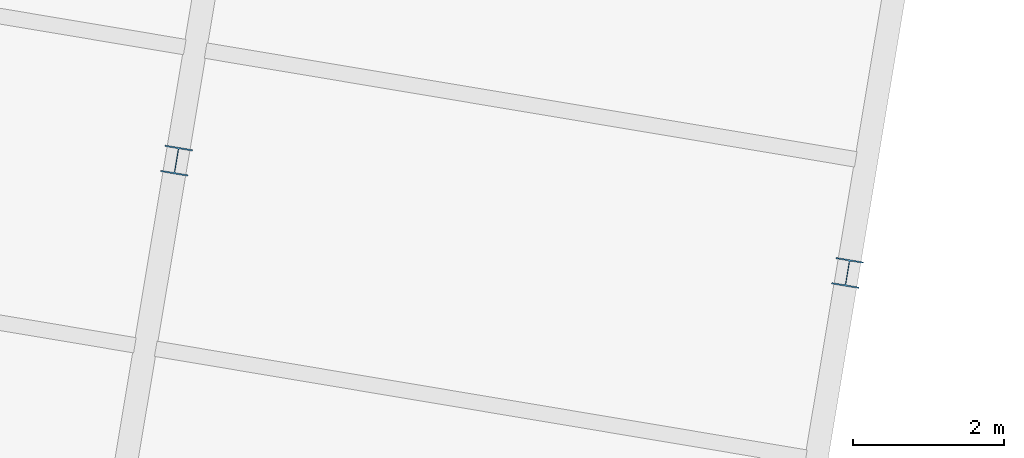
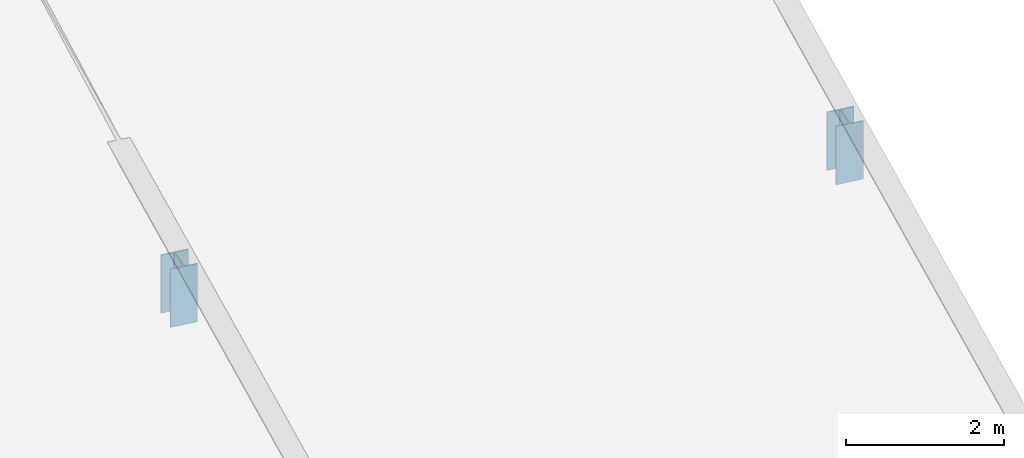
# One storey, part 2 of 27: 2 columns.
"""IFC4 building model written with IfcOpenShell, lengths in metres."""

from ifc_helpers import new_model, si_unit, direction, frame, origin, origin_2d, place, context, subcontext, project, spatial, i_section, extrude, material, material_profile, profile_set, type_object, element, save


model = new_model("IFC4")

# Units and contexts
model_context = context("Model", 3, precision=1e-05, world=origin(), true_north=direction((0.0, 1.0)))
body_context = subcontext(model_context, "Body", "Model", "MODEL_VIEW")
ifc_project = project(units=[si_unit("LENGTHUNIT", "METRE"), si_unit("AREAUNIT", "SQUARE_METRE"), si_unit("VOLUMEUNIT", "CUBIC_METRE"), si_unit("PLANEANGLEUNIT", "RADIAN"), si_unit("MASSUNIT", "GRAM", prefix="KILO")], contexts=[model_context])

# Site, building, storey
site_placement = place(None, origin())
site = spatial("IfcSite", under=ifc_project, at=site_placement, CompositionType="ELEMENT")
building_placement = place(site_placement, origin())
building = spatial("IfcBuilding", under=site, at=building_placement, Name="Vireo Bluff Cable Station", CompositionType="ELEMENT")
storey_placement = place(building_placement, frame((0.0, 0.0, 19.199951171875)))
storey = spatial("IfcBuildingStorey", under=building, at=storey_placement, Name="L04", CompositionType="ELEMENT", Elevation=19.199951171875)

# Columns
ifc_material = material(Name="Steel ASTM A992 Gr. 50", Category="steel")
ifc_material_profile = material_profile(ifc_material, i_section(OverallWidth=0.367919921875, OverallDepth=0.35595703125, WebThickness=0.01123046875, FlangeThickness=0.01806640625, FilletRadius=0.014892578125, at=origin_2d()), Name="W14X90")
ifc_profile_set = profile_set([ifc_material_profile], Name="Steel ASTM A992 Gr. 50")
column_type = type_object("IfcColumnType", Name="COL-W14X90", PredefinedType="COLUMN", material=ifc_profile_set)
for number, where, z_axis, x_axis, name in (
    (1, (26.38916015625, 87.2685546875, 0.0), (0.0, 0.0, 1.0), (0.986285601537, -0.165047605861, 0.0), "V4 interior roof column 3"),
    (2, (35.265625, 85.783203125, 0.0), (0.0, 0.0, 1.0), (0.986285601537, -0.165047605861, 0.0), "V4 interior roof column 4"),
):
    element("IfcColumn", number, at=place(storey_placement, frame(where, z_axis=z_axis, x_axis=x_axis)), inside=storey, type_object=column_type, Name=name, PredefinedType="COLUMN", context=body_context, shape_type="SweptSolid", body=[
        extrude(i_section(OverallWidth=0.367919921875, OverallDepth=0.35595703125, WebThickness=0.01123046875, FlangeThickness=0.01806640625, FilletRadius=0.014892578125, at=origin_2d()), origin(), (0.0, 0.0, 1.0), 0.900146484375),
    ])

save(model, "model.ifc")
